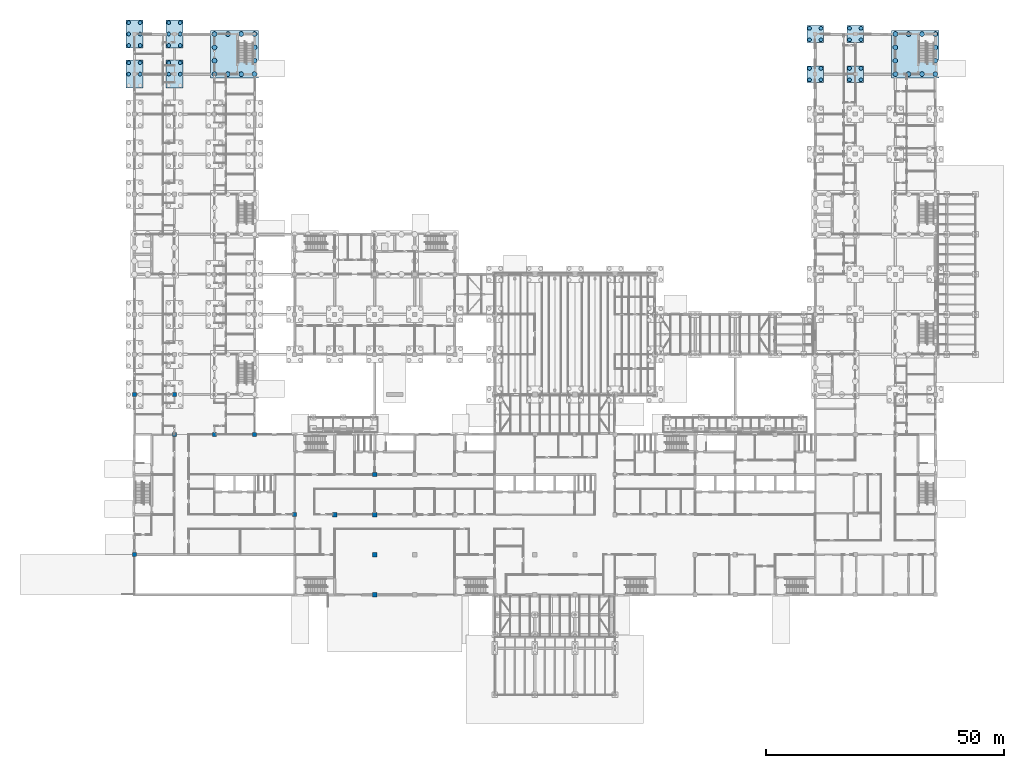
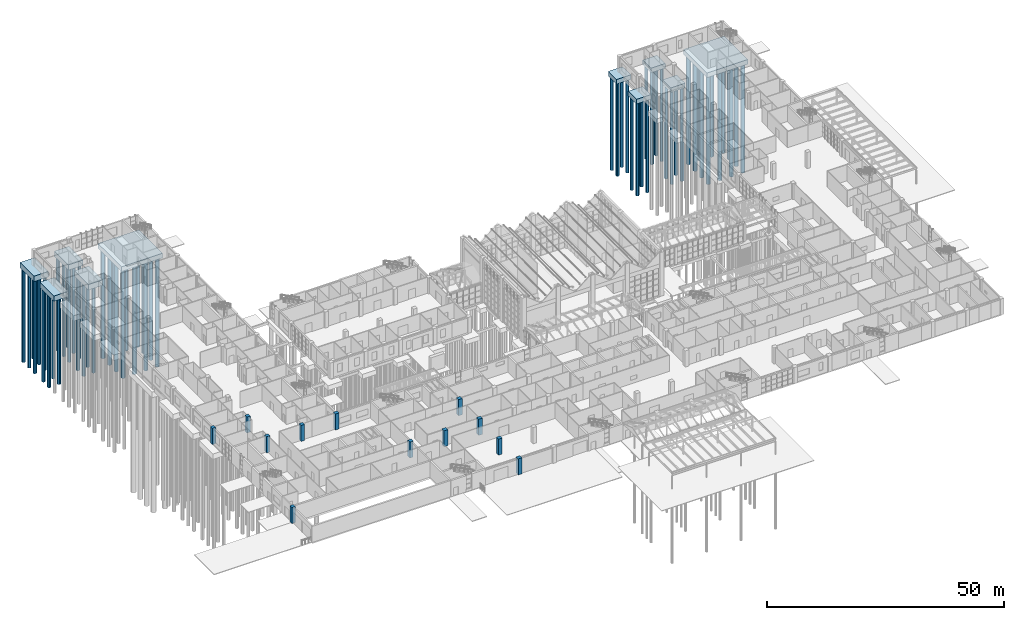
# One storey, part 4 of 138: 60 piles, 12 columns, 10 footings.
"""IFC4 building model written with IfcOpenShell, lengths in metres."""

from ifc_helpers import new_model, si_unit, direction, frame, origin, origin_2d, place, context, subcontext, project, spatial, rectangle, circle, extrude, material, material_profile, profile_set, type_object, element, save


model = new_model("IFC4")

# Units and contexts
model_context = context("Model", 3, precision=1e-05, world=origin(), true_north=direction((0.0, 1.0)))
body_context = subcontext(model_context, "Body", "Model", "MODEL_VIEW")
ifc_project = project(units=[si_unit("LENGTHUNIT", "METRE"), si_unit("AREAUNIT", "SQUARE_METRE"), si_unit("VOLUMEUNIT", "CUBIC_METRE"), si_unit("PLANEANGLEUNIT", "RADIAN"), si_unit("MASSUNIT", "GRAM", prefix="KILO")], contexts=[model_context])

# Site, building, storey
site_placement = place(None, origin())
site = spatial("IfcSite", under=ifc_project, at=site_placement, CompositionType="ELEMENT")
building_placement = place(site_placement, origin())
building = spatial("IfcBuilding", under=site, at=building_placement, Name="Yavir Park General Hospital", CompositionType="ELEMENT")
storey_placement = place(building_placement, origin())
storey = spatial("IfcBuildingStorey", under=building, at=storey_placement, Name="L00", CompositionType="ELEMENT", Elevation=0.0)

# Piles
ifc_material_1 = material(Name="Concrete C35/45", Category="concrete")
ifc_material_profile_1 = material_profile(ifc_material_1, circle(Radius=0.5, at=origin_2d()), Name="D1000")
ifc_profile_set_1 = profile_set([ifc_material_profile_1], Name="Concrete C35/45")
pile_type_1 = type_object("IfcPileType", Name="BORED PILE D1000", PredefinedType="BORED", material=ifc_profile_set_1)
for number, where, z_axis, x_axis, name in (
    (1, (16.800048828125, 109.199951171875, -1.64990234375), (0.0, 0.0, -1.0), (1.0, 0.0, 0.0), "P:L00:SW3:00"),
    (2, (19.60009765625, 109.199951171875, -1.64990234375), (0.0, 0.0, -1.0), (1.0, 0.0, 0.0), "P:L00:SW3:01"),
    (3, (22.39990234375, 109.199951171875, -1.64990234375), (0.0, 0.0, -1.0), (1.0, 0.0, 0.0), "P:L00:SW3:02"),
    (4, (25.199951171875, 109.199951171875, -1.64990234375), (0.0, 0.0, -1.0), (1.0, 0.0, 0.0), "P:L00:SW3:03"),
    (5, (16.800048828125, 112.0, -1.64990234375), (0.0, 0.0, -1.0), (1.0, 0.0, 0.0), "P:L00:SW3:04"),
    (6, (25.199951171875, 112.0, -1.64990234375), (0.0, 0.0, -1.0), (1.0, 0.0, 0.0), "P:L00:SW3:05"),
    (7, (16.800048828125, 114.800048828125, -1.64990234375), (0.0, 0.0, -1.0), (1.0, 0.0, 0.0), "P:L00:SW3:06"),
    (8, (25.199951171875, 114.800048828125, -1.64990234375), (0.0, 0.0, -1.0), (1.0, 0.0, 0.0), "P:L00:SW3:07"),
    (9, (16.800048828125, 117.60009765625, -1.64990234375), (0.0, 0.0, -1.0), (1.0, 0.0, 0.0), "P:L00:SW3:08"),
    (10, (19.60009765625, 117.60009765625, -1.64990234375), (0.0, 0.0, -1.0), (1.0, 0.0, 0.0), "P:L00:SW3:09"),
    (11, (22.39990234375, 117.60009765625, -1.64990234375), (0.0, 0.0, -1.0), (1.0, 0.0, 0.0), "P:L00:SW3:10"),
    (12, (25.199951171875, 117.60009765625, -1.64990234375), (0.0, 0.0, -1.0), (1.0, 0.0, 0.0), "P:L00:SW3:11"),
    (13, (159.60009765625, 109.199951171875, -1.64990234375), (0.0, 0.0, -1.0), (1.0, 0.0, 0.0), "P:L00:ES3:00"),
    (14, (162.39990234375, 109.199951171875, -1.64990234375), (0.0, 0.0, -1.0), (1.0, 0.0, 0.0), "P:L00:ES3:01"),
    (15, (165.199951171875, 109.199951171875, -1.64990234375), (0.0, 0.0, -1.0), (1.0, 0.0, 0.0), "P:L00:ES3:02"),
    (16, (168.0, 109.199951171875, -1.64990234375), (0.0, 0.0, -1.0), (1.0, 0.0, 0.0), "P:L00:ES3:03"),
    (17, (159.60009765625, 112.0, -1.64990234375), (0.0, 0.0, -1.0), (1.0, 0.0, 0.0), "P:L00:ES3:04"),
    (18, (168.0, 112.0, -1.64990234375), (0.0, 0.0, -1.0), (1.0, 0.0, 0.0), "P:L00:ES3:05"),
    (19, (159.60009765625, 114.800048828125, -1.64990234375), (0.0, 0.0, -1.0), (1.0, 0.0, 0.0), "P:L00:ES3:06"),
    (20, (168.0, 114.800048828125, -1.64990234375), (0.0, 0.0, -1.0), (1.0, 0.0, 0.0), "P:L00:ES3:07"),
    (21, (159.60009765625, 117.60009765625, -1.64990234375), (0.0, 0.0, -1.0), (1.0, 0.0, 0.0), "P:L00:ES3:08"),
    (22, (162.39990234375, 117.60009765625, -1.64990234375), (0.0, 0.0, -1.0), (1.0, 0.0, 0.0), "P:L00:ES3:09"),
    (23, (165.199951171875, 117.60009765625, -1.64990234375), (0.0, 0.0, -1.0), (1.0, 0.0, 0.0), "P:L00:ES3:10"),
    (24, (168.0, 117.60009765625, -1.64990234375), (0.0, 0.0, -1.0), (1.0, 0.0, 0.0), "P:L00:ES3:11"),
):
    element("IfcPile", number, at=place(storey_placement, frame(where, z_axis=z_axis, x_axis=x_axis)), inside=storey, type_object=pile_type_1, Name=name, PredefinedType="BORED", context=body_context, shape_type="SweptSolid", body=[
        extrude(circle(Radius=0.5, at=origin_2d()), origin(), (0.0, 0.0, 1.0), 28.0),
    ])
ifc_material_2 = material(Name="Concrete C35/45", Category="concrete")
ifc_material_profile_2 = material_profile(ifc_material_2, circle(Radius=0.39990234375, at=origin_2d()), Name="D800")
ifc_profile_set_2 = profile_set([ifc_material_profile_2], Name="Concrete C35/45")
pile_type_2 = type_object("IfcPileType", Name="BORED PILE D800", PredefinedType="BORED", material=ifc_profile_set_2)
for number, where, z_axis, x_axis, name in (
    (25, (-1.199951171875, 109.199951171875, -1.85009765625), (0.0, 0.0, -1.0), (1.0, 0.0, 0.0), "P:L00:1P:1"),
    (26, (-1.199951171875, 111.60009765625, -1.85009765625), (0.0, 0.0, -1.0), (1.0, 0.0, 0.0), "P:L00:1P:2"),
    (27, (1.199951171875, 109.199951171875, -1.85009765625), (0.0, 0.0, -1.0), (1.0, 0.0, 0.0), "P:L00:1P:4"),
    (28, (1.199951171875, 111.60009765625, -1.85009765625), (0.0, 0.0, -1.0), (1.0, 0.0, 0.0), "P:L00:1P:5"),
    (29, (7.199951171875, 109.199951171875, -1.85009765625), (0.0, 0.0, -1.0), (1.0, 0.0, 0.0), "P:L00:2P:1"),
    (30, (7.199951171875, 111.60009765625, -1.85009765625), (0.0, 0.0, -1.0), (1.0, 0.0, 0.0), "P:L00:2P:2"),
    (31, (9.60009765625, 109.199951171875, -1.85009765625), (0.0, 0.0, -1.0), (1.0, 0.0, 0.0), "P:L00:2P:4"),
    (32, (9.60009765625, 111.60009765625, -1.85009765625), (0.0, 0.0, -1.0), (1.0, 0.0, 0.0), "P:L00:2P:5"),
    (33, (141.60009765625, 108.0, -1.64990234375), (0.0, 0.0, -1.0), (1.0, 0.0, 0.0), "P:L00:18P:0"),
    (34, (144.0, 108.0, -1.64990234375), (0.0, 0.0, -1.0), (1.0, 0.0, 0.0), "P:L00:18P:1"),
    (35, (141.60009765625, 110.39990234375, -1.64990234375), (0.0, 0.0, -1.0), (1.0, 0.0, 0.0), "P:L00:18P:2"),
    (36, (144.0, 110.39990234375, -1.64990234375), (0.0, 0.0, -1.0), (1.0, 0.0, 0.0), "P:L00:18P:3"),
    (37, (150.0, 108.0, -1.64990234375), (0.0, 0.0, -1.0), (1.0, 0.0, 0.0), "P:L00:19P:0"),
    (38, (152.39990234375, 108.0, -1.64990234375), (0.0, 0.0, -1.0), (1.0, 0.0, 0.0), "P:L00:19P:1"),
    (39, (150.0, 110.39990234375, -1.64990234375), (0.0, 0.0, -1.0), (1.0, 0.0, 0.0), "P:L00:19P:2"),
    (40, (152.39990234375, 110.39990234375, -1.64990234375), (0.0, 0.0, -1.0), (1.0, 0.0, 0.0), "P:L00:19P:3"),
    (41, (-1.199951171875, 115.199951171875, -1.85009765625), (0.0, 0.0, -1.0), (1.0, 0.0, 0.0), "P:L00:1Q:0"),
    (42, (-1.199951171875, 117.60009765625, -1.85009765625), (0.0, 0.0, -1.0), (1.0, 0.0, 0.0), "P:L00:1Q:1"),
    (43, (-1.199951171875, 120.0, -1.85009765625), (0.0, 0.0, -1.0), (1.0, 0.0, 0.0), "P:L00:1Q:2"),
    (44, (1.199951171875, 115.199951171875, -1.85009765625), (0.0, 0.0, -1.0), (1.0, 0.0, 0.0), "P:L00:1Q:3"),
    (45, (1.199951171875, 117.60009765625, -1.85009765625), (0.0, 0.0, -1.0), (1.0, 0.0, 0.0), "P:L00:1Q:4"),
    (46, (1.199951171875, 120.0, -1.85009765625), (0.0, 0.0, -1.0), (1.0, 0.0, 0.0), "P:L00:1Q:5"),
    (47, (7.199951171875, 115.199951171875, -1.85009765625), (0.0, 0.0, -1.0), (1.0, 0.0, 0.0), "P:L00:2Q:0"),
    (48, (7.199951171875, 117.60009765625, -1.85009765625), (0.0, 0.0, -1.0), (1.0, 0.0, 0.0), "P:L00:2Q:1"),
    (49, (7.199951171875, 120.0, -1.85009765625), (0.0, 0.0, -1.0), (1.0, 0.0, 0.0), "P:L00:2Q:2"),
    (50, (9.60009765625, 115.199951171875, -1.85009765625), (0.0, 0.0, -1.0), (1.0, 0.0, 0.0), "P:L00:2Q:3"),
    (51, (9.60009765625, 117.60009765625, -1.85009765625), (0.0, 0.0, -1.0), (1.0, 0.0, 0.0), "P:L00:2Q:4"),
    (52, (9.60009765625, 120.0, -1.85009765625), (0.0, 0.0, -1.0), (1.0, 0.0, 0.0), "P:L00:2Q:5"),
    (53, (141.60009765625, 116.39990234375, -1.64990234375), (0.0, 0.0, -1.0), (1.0, 0.0, 0.0), "P:L00:18Q:0"),
    (54, (144.0, 116.39990234375, -1.64990234375), (0.0, 0.0, -1.0), (1.0, 0.0, 0.0), "P:L00:18Q:1"),
    (55, (141.60009765625, 118.800048828125, -1.64990234375), (0.0, 0.0, -1.0), (1.0, 0.0, 0.0), "P:L00:18Q:2"),
    (56, (144.0, 118.800048828125, -1.64990234375), (0.0, 0.0, -1.0), (1.0, 0.0, 0.0), "P:L00:18Q:3"),
    (57, (150.0, 116.39990234375, -1.64990234375), (0.0, 0.0, -1.0), (1.0, 0.0, 0.0), "P:L00:19Q:0"),
    (58, (152.39990234375, 116.39990234375, -1.64990234375), (0.0, 0.0, -1.0), (1.0, 0.0, 0.0), "P:L00:19Q:1"),
    (59, (150.0, 118.800048828125, -1.64990234375), (0.0, 0.0, -1.0), (1.0, 0.0, 0.0), "P:L00:19Q:2"),
    (60, (152.39990234375, 118.800048828125, -1.64990234375), (0.0, 0.0, -1.0), (1.0, 0.0, 0.0), "P:L00:19Q:3"),
):
    element("IfcPile", number, at=place(storey_placement, frame(where, z_axis=z_axis, x_axis=x_axis)), inside=storey, type_object=pile_type_2, Name=name, PredefinedType="BORED", context=body_context, shape_type="SweptSolid", body=[
        extrude(circle(Radius=0.39990234375, at=origin_2d()), origin(), (0.0, 0.0, 1.0), 24.0),
    ])

# Footings
ifc_material_3 = material(Name="Concrete C35/45", Category="concrete")
footing_type_1 = type_object("IfcFootingType", Name="PILE CAP COLUMN 3500x3500x1200", PredefinedType="PILE_CAP", material=ifc_material_3)
for number, where, z_axis, x_axis, name in (
    (61, (142.800048828125, 109.199951171875, -1.64990234375), (0.0, 0.0, 1.0), (1.0, 0.0, 0.0), "F:L00:18P"),
    (62, (151.199951171875, 109.199951171875, -1.64990234375), (0.0, 0.0, 1.0), (1.0, 0.0, 0.0), "F:L00:19P"),
    (63, (142.800048828125, 117.60009765625, -1.64990234375), (0.0, 0.0, 1.0), (1.0, 0.0, 0.0), "F:L00:18Q"),
    (64, (151.199951171875, 117.60009765625, -1.64990234375), (0.0, 0.0, 1.0), (1.0, 0.0, 0.0), "F:L00:19Q"),
):
    element("IfcFooting", number, at=place(storey_placement, frame(where, z_axis=z_axis, x_axis=x_axis)), inside=storey, type_object=footing_type_1, Name=name, PredefinedType="PILE_CAP", context=body_context, shape_type="SweptSolid", body=[
        extrude(rectangle(XDim=3.5, YDim=3.5, at=origin_2d()), origin(), (0.0, 0.0, 1.0), 1.199951171875),
    ])
ifc_material_4 = material(Name="Concrete C35/45", Category="concrete")
footing_type_2 = type_object("IfcFootingType", Name="PILE CAP STAIR CORE 10000x10000x1200", PredefinedType="PILE_CAP", material=ifc_material_4)
for number, where, z_axis, x_axis, name in (
    (65, (21.0, 113.39990234375, -1.64990234375), (0.0, 0.0, 1.0), (1.0, 0.0, 0.0), "F:L00:SW3"),
    (66, (163.800048828125, 113.39990234375, -1.64990234375), (0.0, 0.0, 1.0), (1.0, 0.0, 0.0), "F:L00:ES3"),
):
    element("IfcFooting", number, at=place(storey_placement, frame(where, z_axis=z_axis, x_axis=x_axis)), inside=storey, type_object=footing_type_2, Name=name, PredefinedType="PILE_CAP", context=body_context, shape_type="SweptSolid", body=[
        extrude(rectangle(XDim=10.0, YDim=10.0, at=origin_2d()), origin(), (0.0, 0.0, 1.0), 1.199951171875),
    ])
ifc_material_5 = material(Name="Concrete C35/45", Category="concrete")
footing_type_3 = type_object("IfcFootingType", Name="PILE CAP WARD BAR COLUMN 3500x5900x1400", PredefinedType="PILE_CAP", material=ifc_material_5)
for number, where, z_axis, x_axis, name in (
    (67, (0.0, 109.199951171875, -1.849853515625), (0.0, 0.0, 1.0), (1.0, 0.0, 0.0), "F:L00:1P"),
    (68, (8.39990234375, 109.199951171875, -1.849853515625), (0.0, 0.0, 1.0), (1.0, 0.0, 0.0), "F:L00:2P"),
    (69, (0.0, 117.60009765625, -1.849853515625), (0.0, 0.0, 1.0), (1.0, 0.0, 0.0), "F:L00:1Q"),
    (70, (8.39990234375, 117.60009765625, -1.849853515625), (0.0, 0.0, 1.0), (1.0, 0.0, 0.0), "F:L00:2Q"),
):
    element("IfcFooting", number, at=place(storey_placement, frame(where, z_axis=z_axis, x_axis=x_axis)), inside=storey, type_object=footing_type_3, Name=name, PredefinedType="PILE_CAP", context=body_context, shape_type="SweptSolid", body=[
        extrude(rectangle(XDim=3.5, YDim=5.89990234375, at=origin_2d()), origin(), (0.0, 0.0, 1.0), 1.39990234375),
    ])

# Columns
ifc_material_6 = material(Name="Concrete C40/50", Category="concrete")
ifc_material_profile_3 = material_profile(ifc_material_6, rectangle(XDim=0.85009765625, YDim=0.85009765625, at=origin_2d()), Name="RC850x850")
ifc_profile_set_3 = profile_set([ifc_material_profile_3], Name="Concrete C40/50")
column_type_1 = type_object("IfcColumnType", Name="RC COLUMN 850x850", PredefinedType="COLUMN", material=ifc_profile_set_3)
for number, where, z_axis, x_axis, name in (
    (71, (33.60009765625, 16.800048828125, 0.0), (0.0, 0.0, 1.0), (1.0, 0.0, 0.0), "C:L00:5C"),
    (72, (16.800048828125, 33.60009765625, 0.0), (0.0, 0.0, 1.0), (1.0, 0.0, 0.0), "C:L00:3E"),
    (73, (25.199951171875, 33.60009765625, 0.0), (0.0, 0.0, 1.0), (1.0, 0.0, 0.0), "C:L00:4E"),
    (74, (0.0, 42.0, 0.0), (0.0, 0.0, 1.0), (1.0, 0.0, 0.0), "C:L00:1F"),
    (75, (8.39990234375, 42.0, 0.0), (0.0, 0.0, 1.0), (1.0, 0.0, 0.0), "C:L00:2F"),
    (76, (0.0, 8.39990234375, 0.0), (0.0, 0.0, 1.0), (1.0, 0.0, 0.0), "C:L00:1B"),
    (77, (8.39990234375, 33.60009765625, 0.0), (0.0, 0.0, 1.0), (1.0, 0.0, 0.0), "C:L00:2E"),
):
    element("IfcColumn", number, at=place(storey_placement, frame(where, z_axis=z_axis, x_axis=x_axis)), inside=storey, type_object=column_type_1, Name=name, PredefinedType="COLUMN", context=body_context, shape_type="SweptSolid", body=[
        extrude(rectangle(XDim=0.85009765625, YDim=0.85009765625, at=origin_2d()), origin(), (0.0, 0.0, 1.0), 4.139892578125),
    ])
ifc_material_7 = material(Name="Concrete C40/50", Category="concrete")
ifc_material_profile_4 = material_profile(ifc_material_7, rectangle(XDim=0.89990234375, YDim=0.89990234375, at=origin_2d()), Name="RC900x900")
ifc_profile_set_4 = profile_set([ifc_material_profile_4], Name="Concrete C40/50")
column_type_2 = type_object("IfcColumnType", Name="RC COLUMN 900x900", PredefinedType="COLUMN", material=ifc_profile_set_4)
for number, where, z_axis, x_axis, name in (
    (78, (50.39990234375, 0.0, 0.0), (0.0, 0.0, 1.0), (1.0, 0.0, 0.0), "C:L00:7A"),
    (79, (50.39990234375, 8.39990234375, 0.0), (0.0, 0.0, 1.0), (1.0, 0.0, 0.0), "C:L00:7B"),
    (80, (42.0, 16.800048828125, 0.0), (0.0, 0.0, 1.0), (1.0, 0.0, 0.0), "C:L00:6C"),
    (81, (50.39990234375, 16.800048828125, 0.0), (0.0, 0.0, 1.0), (1.0, 0.0, 0.0), "C:L00:7C"),
    (82, (50.39990234375, 25.199951171875, 0.0), (0.0, 0.0, 1.0), (1.0, 0.0, 0.0), "C:L00:7D"),
):
    element("IfcColumn", number, at=place(storey_placement, frame(where, z_axis=z_axis, x_axis=x_axis)), inside=storey, type_object=column_type_2, Name=name, PredefinedType="COLUMN", context=body_context, shape_type="SweptSolid", body=[
        extrude(rectangle(XDim=0.89990234375, YDim=0.89990234375, at=origin_2d()), origin(), (0.0, 0.0, 1.0), 4.139892578125),
    ])

save(model, "model.ifc")
